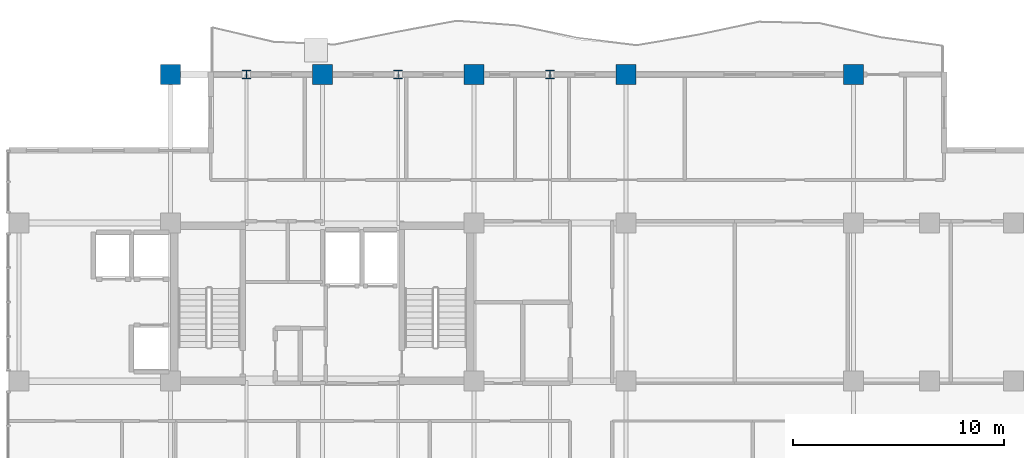
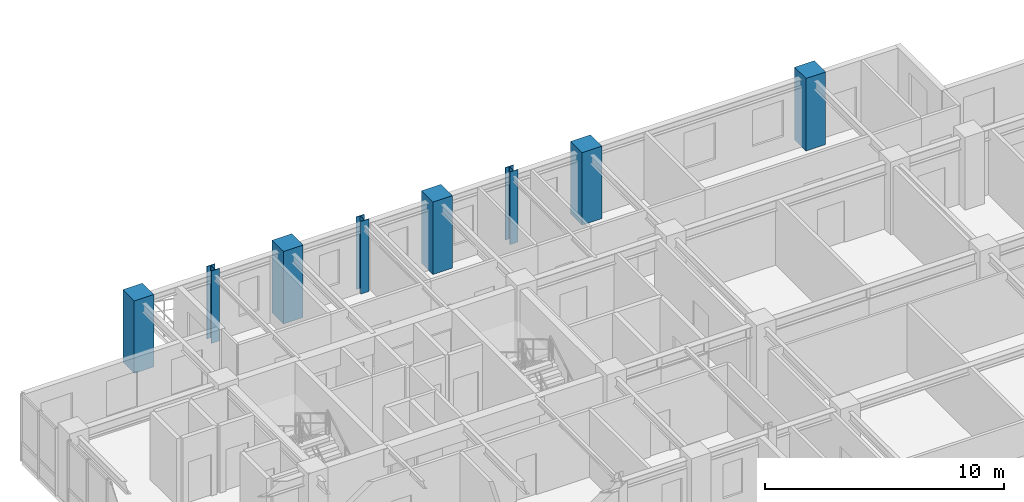
# One storey, part 3 of 20: 8 columns.
"""IFC4 building model written with IfcOpenShell, lengths in metres."""

import ifcopenshell
import ifcopenshell.guid

model = None  # the IFC model being written
_history = None  # IfcOwnerHistory: only IFC2X3 demands one
_inside = {}  # id of a spatial element -> (the spatial element, [elements in it])
_under = {}  # id of a project, library or spatial element -> (it, [spatial elements below it])
_declared = {}  # id of a project -> (the project, [libraries it declares])
_typed = {}  # id of a type object -> (the type object, [elements of that type])
_made_of = {}  # id of a material, layer set ... -> (it, [elements and type objects made of it])


def new_model(schema):
    """Start an empty IFC model of exactly this schema.

    Asked for "IFC4X3", IfcOpenShell would pick the latest addendum, in which some entities
    have other attributes; the version numbers below select the first issue.
    IFC2X3 requires an IfcOwnerHistory on every rooted entity: one is made here for all.
    """
    global model, _history
    if schema == "IFC4X3":
        model = ifcopenshell.file(schema_version=(4, 3, 0, 0))
    else:
        model = ifcopenshell.file(schema=schema)
    _inside.clear()
    _under.clear()
    _declared.clear()
    _typed.clear()
    _made_of.clear()
    _history = None
    if model.schema == "IFC2X3":
        org = make("IfcOrganization", Name="unknown")
        user = make(
            "IfcPersonAndOrganization",
            ThePerson=make("IfcPerson", FamilyName="unknown"),
            TheOrganization=org,
        )
        app = make(
            "IfcApplication",
            ApplicationDeveloper=org,
            Version="unknown",
            ApplicationFullName="unknown",
            ApplicationIdentifier="unknown",
        )
        _history = make(
            "IfcOwnerHistory",
            OwningUser=user,
            OwningApplication=app,
            ChangeAction="ADDED",
            CreationDate=0,
        )
    return model


def make(cls, **values):
    """One entity of the class cls with the attributes given. An attribute that is None is left unset."""
    return model.create_entity(
        cls, **{name: value for name, value in values.items() if value is not None}
    )


def rooted(cls, **values):
    """An entity with a GlobalId (a new one), such as an element, a storey or a relation."""
    return make(cls, GlobalId=ifcopenshell.guid.new(), OwnerHistory=_history, **values)


def si_unit(unit_type, name, prefix=None):
    """IfcSIUnit, for example si_unit("LENGTHUNIT", "METRE", prefix="MILLI")."""
    return make("IfcSIUnit", UnitType=unit_type, Prefix=prefix, Name=name)


def assignment(units):
    """IfcUnitAssignment: the units of a project."""
    return None if units is None else make("IfcUnitAssignment", Units=units)


def point(xyz):
    """IfcCartesianPoint."""
    return None if xyz is None else make("IfcCartesianPoint", Coordinates=xyz)


def direction(xyz):
    """IfcDirection."""
    return None if xyz is None else make("IfcDirection", DirectionRatios=xyz)


def frame(location, z_axis=None, x_axis=None):
    """IfcAxis2Placement3D, a coordinate frame: its origin and axes. An axis left out is left unset."""
    return make(
        "IfcAxis2Placement3D",
        Location=point(location),
        Axis=direction(z_axis),
        RefDirection=direction(x_axis),
    )


def frame_2d(location, x_axis=None):
    """IfcAxis2Placement2D, a coordinate frame in the plane: its origin and x axis."""
    return make(
        "IfcAxis2Placement2D", Location=point(location), RefDirection=direction(x_axis)
    )


def origin():
    """The frame at (0, 0, 0) with its axes left unset."""
    return frame((0.0, 0.0, 0.0))


def origin_2d():
    """The frame at (0, 0) in the plane with its x axis left unset."""
    return frame_2d((0.0, 0.0))


def place(relative_to, where):
    """IfcLocalPlacement: puts the frame where relative to a parent placement (None: the world)."""
    return make(
        "IfcLocalPlacement", PlacementRelTo=relative_to, RelativePlacement=where
    )


def context(
    kind, dimensions, precision=None, world=None, true_north=None, identifier=None
):
    """IfcGeometricRepresentationContext, for example the 3D "Model" context."""
    return make(
        "IfcGeometricRepresentationContext",
        ContextIdentifier=identifier,
        ContextType=kind,
        CoordinateSpaceDimension=dimensions,
        Precision=precision,
        WorldCoordinateSystem=world,
        TrueNorth=true_north,
    )


def subcontext(parent, identifier, kind, view, scale=None):
    """IfcGeometricRepresentationSubContext, for example "Body" below "Model"."""
    return make(
        "IfcGeometricRepresentationSubContext",
        ContextIdentifier=identifier,
        ContextType=kind,
        ParentContext=parent,
        TargetScale=scale,
        TargetView=view,
    )


def project(units=None, contexts=None):
    """IfcProject with its units and contexts."""
    return rooted(
        "IfcProject",
        Name="project",
        RepresentationContexts=contexts,
        UnitsInContext=assignment(units),
    )


def spatial(cls, under=None, at=None, **own):
    """A site, building, storey or space (cls), placed at a placement, below another one or the project."""
    s = rooted(cls, ObjectPlacement=at, **own)
    if under is not None:
        _under.setdefault(under.id(), (under, []))[1].append(s)
    return s


def profile(cls, at=None, kind="AREA", **sizes):
    """A parametric profile (cls). Its sizes go by their IFC names, for example OverallWidth=200.0."""
    return make(cls, ProfileType=kind, Position=at, **sizes)


def rectangle(**sizes):
    """IfcRectangleProfileDef."""
    return profile("IfcRectangleProfileDef", **sizes)


def i_section(**sizes):
    """IfcIShapeProfileDef."""
    return profile("IfcIShapeProfileDef", **sizes)


def extrude(swept, where, along, depth):
    """IfcExtrudedAreaSolid: the profile swept, set in the frame where, extruded along a direction by depth."""
    return make(
        "IfcExtrudedAreaSolid",
        SweptArea=swept,
        Position=where,
        ExtrudedDirection=direction(along),
        Depth=depth,
    )


def shape(context_of_items, identifier, shape_type, items):
    """IfcShapeRepresentation: the items that make up one representation, for example the "Body"."""
    return make(
        "IfcShapeRepresentation",
        ContextOfItems=context_of_items,
        RepresentationIdentifier=identifier,
        RepresentationType=shape_type,
        Items=items,
    )


def source(mapping_origin, context_of_items, identifier, shape_type, items):
    """IfcRepresentationMap: a shape defined once, which mapped items show again and again."""
    return make(
        "IfcRepresentationMap",
        MappingOrigin=mapping_origin,
        MappedRepresentation=shape(context_of_items, identifier, shape_type, items),
    )


def transform(
    local_origin,
    x_axis=None,
    y_axis=None,
    z_axis=None,
    scale=None,
    scale2=None,
    scale3=None,
    uniform=True,
):
    """IfcCartesianTransformationOperator3D, or its non-uniform kind. x_axis, y_axis, z_axis: its Axis1, 2, 3."""
    if uniform:
        return make(
            "IfcCartesianTransformationOperator3D",
            Axis1=direction(x_axis),
            Axis2=direction(y_axis),
            LocalOrigin=point(local_origin),
            Scale=scale,
            Axis3=direction(z_axis),
        )
    return make(
        "IfcCartesianTransformationOperator3DnonUniform",
        Axis1=direction(x_axis),
        Axis2=direction(y_axis),
        LocalOrigin=point(local_origin),
        Scale=scale,
        Axis3=direction(z_axis),
        Scale2=scale2,
        Scale3=scale3,
    )


def mapped(mapping_source, mapping_target):
    """IfcMappedItem: shows the shape of a source again, moved by a transform."""
    return make(
        "IfcMappedItem", MappingSource=mapping_source, MappingTarget=mapping_target
    )


def material(Name=None, Category=None):
    """IfcMaterial."""
    return make("IfcMaterial", Name=Name, Category=Category)


def material_profile(
    of_material, cross_section, Name=None, Category=None, Priority=None
):
    """IfcMaterialProfile: a cross section and its material."""
    return make(
        "IfcMaterialProfile",
        Name=Name,
        Material=of_material,
        Profile=cross_section,
        Priority=Priority,
        Category=Category,
    )


def profile_set(profiles, Name=None, composite=None):
    """IfcMaterialProfileSet."""
    return make(
        "IfcMaterialProfileSet",
        Name=Name,
        MaterialProfiles=profiles,
        CompositeProfile=composite,
    )


def made_of(thing, what):
    """Note that an element or type object is made of a material, layer set ...; save() writes the relation."""
    if what is not None:
        _made_of.setdefault(what.id(), (what, []))[1].append(thing)
    return thing


def type_object(cls, material=None, **own):
    """A type object (cls), such as IfcWallType, which elements share."""
    return made_of(rooted(cls, **own), material)


def element(
    cls,
    number,
    at=None,
    inside=None,
    cuts=None,
    type_object=None,
    material=None,
    context=None,
    identifier="Body",
    shape_type=None,
    held_by="IfcProductDefinitionShape",
    body=None,
    shapes=None,
    **own,
):
    """One element of the class cls, such as IfcWall. Its Tag is "e" and its number.

    at: its placement. inside: the storey or other place that contains it. cuts: it is an
    opening in that element (IfcRelVoidsElement). A single representation is given by context,
    identifier, shape_type and body (its items); several are given by shapes. held_by: the class
    of the entity that holds the representations. save() writes the other relations.
    """
    e = rooted(cls, Tag="e%d" % number, ObjectPlacement=at, **own)
    if body is not None:
        shapes = [shape(context, identifier, shape_type, body)]
    if shapes is not None:
        e.Representation = make(held_by, Representations=shapes)
    if inside is not None:
        _inside.setdefault(inside.id(), (inside, []))[1].append(e)
    if cuts is not None:
        rooted(
            "IfcRelVoidsElement", RelatingBuildingElement=cuts, RelatedOpeningElement=e
        )
    if type_object is not None:
        _typed.setdefault(type_object.id(), (type_object, []))[1].append(e)
    return made_of(e, material)


def aggregate(whole, parts):
    """IfcRelAggregates: a whole, such as a stair, and the parts it consists of."""
    return rooted("IfcRelAggregates", RelatingObject=whole, RelatedObjects=parts)


def save(model, path):
    """Write the relations noted so far, then the file.

    IfcRelAggregates (storeys below a building ...), IfcRelContainedInSpatialStructure (elements
    in a storey), IfcRelDefinesByType, IfcRelAssociatesMaterial and IfcRelDeclares: one each for
    every whole, place, type object, material and project.
    """
    for whole, parts in _under.values():
        aggregate(whole, parts)
    for where, things in _inside.values():
        rooted(
            "IfcRelContainedInSpatialStructure",
            RelatedElements=things,
            RelatingStructure=where,
        )
    for kind, things in _typed.values():
        rooted("IfcRelDefinesByType", RelatedObjects=things, RelatingType=kind)
    for what, things in _made_of.values():
        rooted("IfcRelAssociatesMaterial", RelatedObjects=things, RelatingMaterial=what)
    for by, libraries in _declared.values():
        rooted("IfcRelDeclares", RelatingContext=by, RelatedDefinitions=libraries)
    model.write(path)


model = new_model("IFC4")

# Units and contexts
model_context = context("Model", 3, precision=1e-05, world=origin(), true_north=direction((0.0, 1.0)))
body_context = subcontext(model_context, "Body", "Model", "MODEL_VIEW")
ifc_project = project(units=[si_unit("LENGTHUNIT", "METRE"), si_unit("AREAUNIT", "SQUARE_METRE"), si_unit("VOLUMEUNIT", "CUBIC_METRE"), si_unit("PLANEANGLEUNIT", "RADIAN"), si_unit("MASSUNIT", "GRAM", prefix="KILO")], contexts=[model_context])

# Site, building, storey
site_placement = place(None, origin())
site = spatial("IfcSite", under=ifc_project, at=site_placement, CompositionType="ELEMENT")
building_placement = place(site_placement, origin())
building = spatial("IfcBuilding", under=site, at=building_placement, Name="Kaliganga Portal Commons", CompositionType="ELEMENT")
storey_placement = place(building_placement, frame((0.0, 0.0, 231.39990234375)))
storey = spatial("IfcBuildingStorey", under=building, at=storey_placement, Name="L59", CompositionType="ELEMENT", Elevation=231.39990234375)

# Columns
ifc_material_1 = material(Name="Concrete C50/60", Category="concrete")
ifc_material_profile_1 = material_profile(ifc_material_1, rectangle(XDim=0.949951171875, YDim=0.949951171875, at=origin_2d()), Name="RC 950x950")
ifc_profile_set_1 = profile_set([ifc_material_profile_1], Name="Concrete C50/60")
column_type_1 = type_object("IfcColumnType", Name="COL-MEGA-Z4", PredefinedType="COLUMN", material=ifc_profile_set_1)
shared_shape_1 = source(origin(), body_context, "Body", "SweptSolid", [
    extrude(rectangle(XDim=0.949951171875, YDim=0.949951171875, at=origin_2d()), origin(), (0.0, 0.0, 1.0), 3.7001953125),
])
for number, where, z_axis, x_axis, name in (
    (1, (14.39990234375, 43.199951171875, 0.0), (0.0, 0.0, 1.0), (1.0, 0.0, 0.0), "Column MC-05 L59"),
    (2, (21.60009765625, 43.199951171875, 0.0), (0.0, 0.0, 1.0), (1.0, 0.0, 0.0), "Column MC-05 L59"),
    (3, (28.800048828125, 43.199951171875, 0.0), (0.0, 0.0, 1.0), (1.0, 0.0, 0.0), "Column MC-05 L59"),
    (4, (36.0, 43.199951171875, 0.0), (0.0, 0.0, 1.0), (1.0, 0.0, 0.0), "Column MC-05 L59"),
    (5, (46.800048828125, 43.199951171875, 0.0), (0.0, 0.0, 1.0), (1.0, 0.0, 0.0), "Column MC-05 L59"),
):
    element("IfcColumn", number, at=place(storey_placement, frame(where, z_axis=z_axis, x_axis=x_axis)), inside=storey, type_object=column_type_1, Name=name, PredefinedType="COLUMN", context=body_context, shape_type="MappedRepresentation", body=[
        mapped(shared_shape_1, transform((0.0, 0.0, 0.0), x_axis=(1.0, 0.0, 0.0), y_axis=(0.0, 1.0, 0.0), z_axis=(0.0, 0.0, 1.0), scale=1.0)),
    ])
ifc_material_2 = material(Name="Structural steel S355J2", Category="steel")
ifc_material_profile_2 = material_profile(ifc_material_2, i_section(OverallWidth=0.39892578125, OverallDepth=0.39990234375, WebThickness=0.017333984375, FlangeThickness=0.0234375, FilletRadius=0.014892578125, at=origin_2d()), Name="HD 400x287")
ifc_profile_set_2 = profile_set([ifc_material_profile_2], Name="Structural steel S355J2 wide-flange")
column_type_2 = type_object("IfcColumnType", Name="COL-TUBE-B4", PredefinedType="COLUMN", material=ifc_profile_set_2)
shared_shape_2 = source(origin(), body_context, "Body", "SweptSolid", [
    extrude(i_section(OverallWidth=0.39892578125, OverallDepth=0.39990234375, WebThickness=0.017333984375, FlangeThickness=0.0234375, FilletRadius=0.014892578125, at=origin_2d()), origin(), (0.0, 0.0, 1.0), 3.7001953125),
])
for number, where, z_axis, x_axis, name in (
    (6, (18.0, 43.199951171875, 0.0), (0.0, 0.0, 1.0), (1.0, 0.0, 0.0), "Column TC-04 L59"),
    (7, (25.199951171875, 43.199951171875, 0.0), (0.0, 0.0, 1.0), (1.0, 0.0, 0.0), "Column TC-04 L59"),
    (8, (32.39990234375, 43.199951171875, 0.0), (0.0, 0.0, 1.0), (1.0, 0.0, 0.0), "Column TC-04 L59"),
):
    element("IfcColumn", number, at=place(storey_placement, frame(where, z_axis=z_axis, x_axis=x_axis)), inside=storey, type_object=column_type_2, Name=name, PredefinedType="COLUMN", context=body_context, shape_type="MappedRepresentation", body=[
        mapped(shared_shape_2, transform((0.0, 0.0, 0.0), x_axis=(1.0, 0.0, 0.0), y_axis=(0.0, 1.0, 0.0), z_axis=(0.0, 0.0, 1.0), scale=1.0)),
    ])

save(model, "model.ifc")
